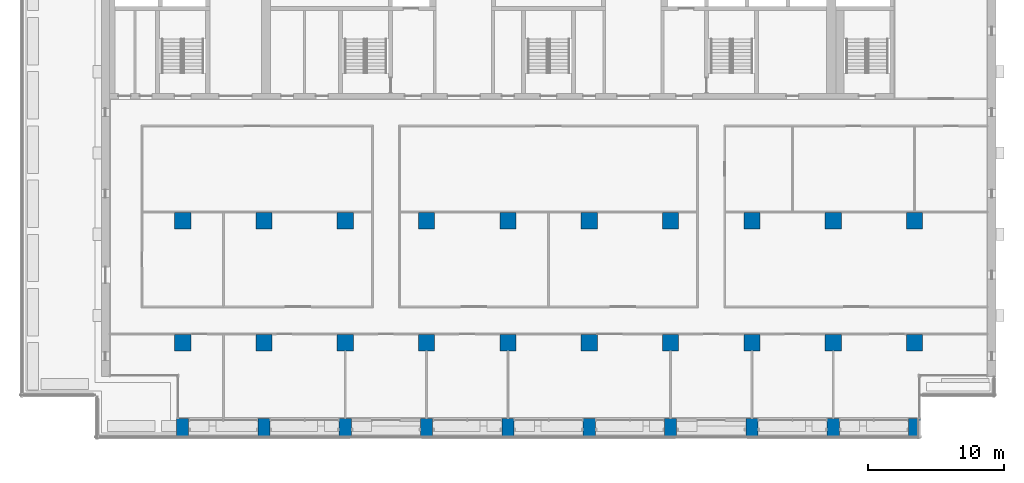
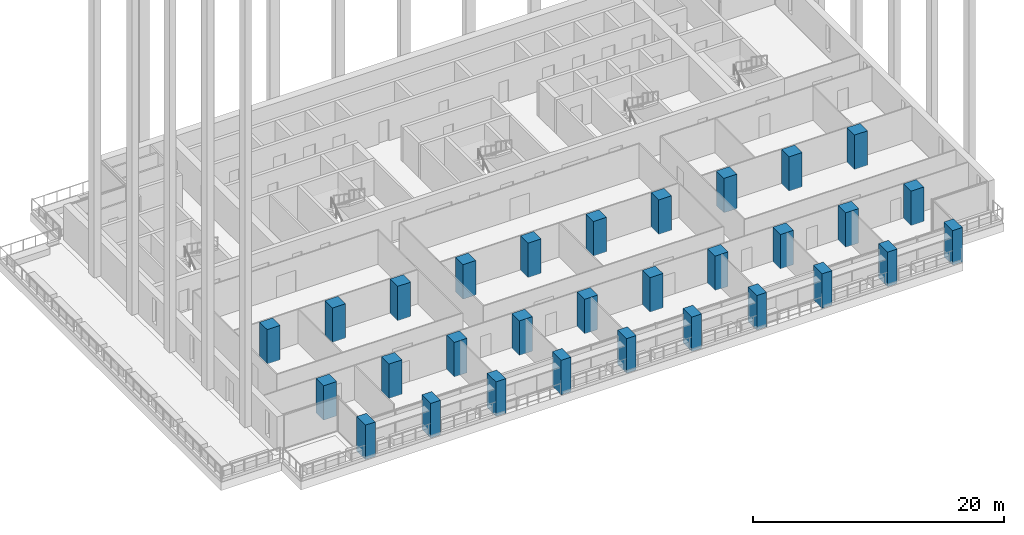
# One storey, part 1 of 19: 30 columns.
"""IFC4 building model written with IfcOpenShell, lengths in metres."""

from ifc_helpers import new_model, si_unit, direction, frame, origin, origin_2d, place, context, subcontext, project, spatial, rectangle, extrude, material, material_profile, profile_set, type_object, element, save


model = new_model("IFC4")

# Units and contexts
model_context = context("Model", 3, precision=1e-05, world=origin(), true_north=direction((0.0, 1.0)))
body_context = subcontext(model_context, "Body", "Model", "MODEL_VIEW")
ifc_project = project(units=[si_unit("LENGTHUNIT", "METRE"), si_unit("AREAUNIT", "SQUARE_METRE"), si_unit("VOLUMEUNIT", "CUBIC_METRE"), si_unit("PLANEANGLEUNIT", "RADIAN"), si_unit("MASSUNIT", "GRAM", prefix="KILO")], contexts=[model_context])

# Site, building, storey
site_placement = place(None, origin())
site = spatial("IfcSite", under=ifc_project, at=site_placement, CompositionType="ELEMENT")
building_placement = place(site_placement, origin())
building = spatial("IfcBuilding", under=site, at=building_placement, Name="Calvaro Tower", CompositionType="ELEMENT")
storey_placement = place(building_placement, frame((0.0, 0.0, 166.75)))
storey = spatial("IfcBuildingStorey", under=building, at=storey_placement, Name="L41", CompositionType="ELEMENT", Elevation=166.75)

# Columns
ifc_material_1 = material(Name="Concrete C50/60", Category="concrete")
ifc_material_profile_1 = material_profile(ifc_material_1, rectangle(XDim=1.199951171875, YDim=1.199951171875, at=origin_2d()), Name="RC 1200x1200")
ifc_profile_set_1 = profile_set([ifc_material_profile_1], Name="Concrete C50/60")
column_type_1 = type_object("IfcColumnType", Name="Column 1200x1200 C50/60", PredefinedType="COLUMN", material=ifc_profile_set_1)
for number, where, z_axis, x_axis, name in (
    (1, (12.0, 10.0, 0.0), (0.0, 0.0, 1.0), (1.0, 0.0, 0.0), "Column 3B"),
    (2, (12.0, 19.0, 0.0), (0.0, 0.0, 1.0), (1.0, 0.0, 0.0), "Column 3C"),
    (3, (18.0, 10.0, 0.0), (0.0, 0.0, 1.0), (1.0, 0.0, 0.0), "Column 4B"),
    (4, (18.0, 19.0, 0.0), (0.0, 0.0, 1.0), (1.0, 0.0, 0.0), "Column 4C"),
    (5, (24.0, 10.0, 0.0), (0.0, 0.0, 1.0), (1.0, 0.0, 0.0), "Column 5B"),
    (6, (24.0, 19.0, 0.0), (0.0, 0.0, 1.0), (1.0, 0.0, 0.0), "Column 5C"),
    (7, (30.0, 10.0, 0.0), (0.0, 0.0, 1.0), (1.0, 0.0, 0.0), "Column 6B"),
    (8, (30.0, 19.0, 0.0), (0.0, 0.0, 1.0), (1.0, 0.0, 0.0), "Column 6C"),
    (9, (36.0, 10.0, 0.0), (0.0, 0.0, 1.0), (1.0, 0.0, 0.0), "Column 7B"),
    (10, (36.0, 19.0, 0.0), (0.0, 0.0, 1.0), (1.0, 0.0, 0.0), "Column 7C"),
    (11, (42.0, 10.0, 0.0), (0.0, 0.0, 1.0), (1.0, 0.0, 0.0), "Column 8B"),
    (12, (42.0, 19.0, 0.0), (0.0, 0.0, 1.0), (1.0, 0.0, 0.0), "Column 8C"),
    (13, (48.0, 10.0, 0.0), (0.0, 0.0, 1.0), (1.0, 0.0, 0.0), "Column 9B"),
    (14, (48.0, 19.0, 0.0), (0.0, 0.0, 1.0), (1.0, 0.0, 0.0), "Column 9C"),
    (15, (54.0, 10.0, 0.0), (0.0, 0.0, 1.0), (1.0, 0.0, 0.0), "Column 10B"),
    (16, (54.0, 19.0, 0.0), (0.0, 0.0, 1.0), (1.0, 0.0, 0.0), "Column 10C"),
    (17, (60.0, 10.0, 0.0), (0.0, 0.0, 1.0), (1.0, 0.0, 0.0), "Column 11B"),
    (18, (60.0, 19.0, 0.0), (0.0, 0.0, 1.0), (1.0, 0.0, 0.0), "Column 11C"),
    (19, (66.0, 10.0, 0.0), (0.0, 0.0, 1.0), (1.0, 0.0, 0.0), "Column 12B"),
    (20, (66.0, 19.0, 0.0), (0.0, 0.0, 1.0), (1.0, 0.0, 0.0), "Column 12C"),
):
    element("IfcColumn", number, at=place(storey_placement, frame(where, z_axis=z_axis, x_axis=x_axis)), inside=storey, type_object=column_type_1, Name=name, PredefinedType="COLUMN", context=body_context, shape_type="SweptSolid", body=[
        extrude(rectangle(XDim=1.199951171875, YDim=1.199951171875, at=origin_2d()), origin(), (0.0, 0.0, 1.0), 3.35009765625),
    ])
ifc_material_2 = material(Name="Concrete C50/60", Category="concrete")
ifc_material_profile_2 = material_profile(ifc_material_2, rectangle(XDim=0.89990234375, YDim=1.39990234375, at=origin_2d()), Name="RC 900x1400")
ifc_profile_set_2 = profile_set([ifc_material_profile_2], Name="Concrete C50/60")
column_type_2 = type_object("IfcColumnType", Name="Pier 900x1400 C50/60", PredefinedType="COLUMN", material=ifc_profile_set_2)
for number, where, z_axis, x_axis, name in (
    (21, (12.0, 3.699951171875, 0.0), (0.0, 0.0, 1.0), (1.0, 0.0, 0.0), "South pier 3"),
    (22, (18.0, 3.699951171875, 0.0), (0.0, 0.0, 1.0), (1.0, 0.0, 0.0), "South pier 4"),
    (23, (24.0, 3.699951171875, 0.0), (0.0, 0.0, 1.0), (1.0, 0.0, 0.0), "South pier 5"),
    (24, (30.0, 3.699951171875, 0.0), (0.0, 0.0, 1.0), (1.0, 0.0, 0.0), "South pier 6"),
    (25, (36.0, 3.699951171875, 0.0), (0.0, 0.0, 1.0), (1.0, 0.0, 0.0), "South pier 7"),
    (26, (42.0, 3.699951171875, 0.0), (0.0, 0.0, 1.0), (1.0, 0.0, 0.0), "South pier 8"),
    (27, (48.0, 3.699951171875, 0.0), (0.0, 0.0, 1.0), (1.0, 0.0, 0.0), "South pier 9"),
    (28, (54.0, 3.699951171875, 0.0), (0.0, 0.0, 1.0), (1.0, 0.0, 0.0), "South pier 10"),
    (29, (60.0, 3.699951171875, 0.0), (0.0, 0.0, 1.0), (1.0, 0.0, 0.0), "South pier 11"),
    (30, (66.0, 3.699951171875, 0.0), (0.0, 0.0, 1.0), (1.0, 0.0, 0.0), "South pier 12"),
):
    element("IfcColumn", number, at=place(storey_placement, frame(where, z_axis=z_axis, x_axis=x_axis)), inside=storey, type_object=column_type_2, Name=name, PredefinedType="COLUMN", context=body_context, shape_type="SweptSolid", body=[
        extrude(rectangle(XDim=0.89990234375, YDim=1.39990234375, at=origin_2d()), origin(), (0.0, 0.0, 1.0), 3.35009765625),
    ])

save(model, "model.ifc")
